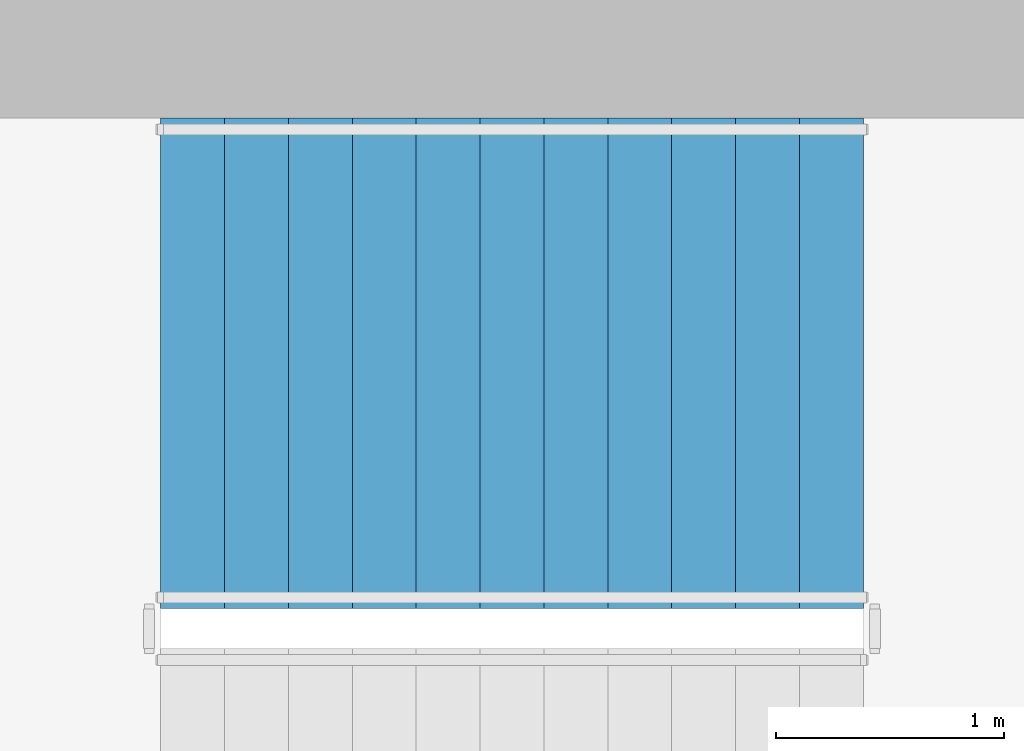
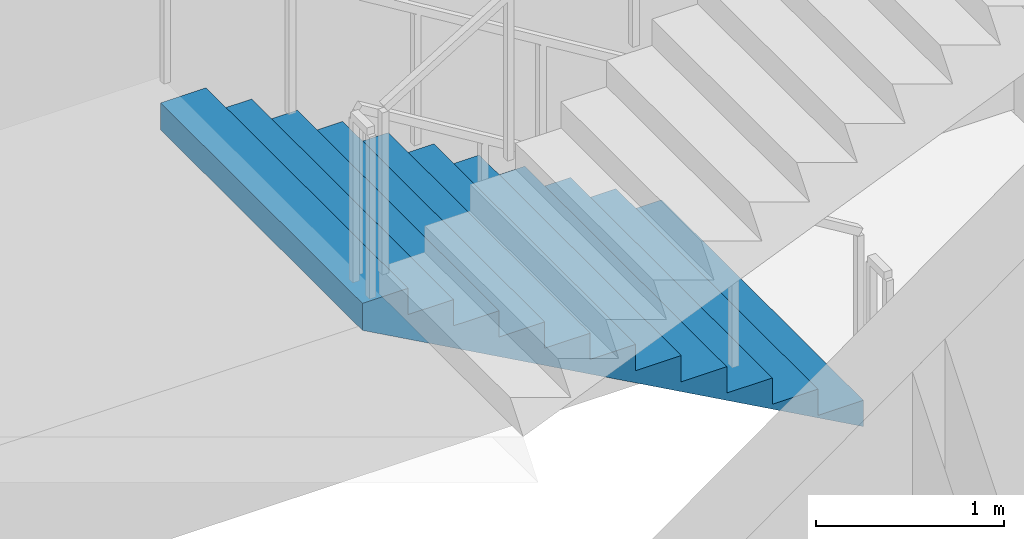
# One storey, part 9 of 15: 1 stair flight, 1 element without a shape of its own.
"""IFC4 building model written with IfcOpenShell, lengths in metres."""

from ifc_helpers import new_model, si_unit, direction, frame, origin, place, context, subcontext, project, spatial, triangles, material, type_object, element, aggregate, save


model = new_model("IFC4")

# Units and contexts
model_context = context("Model", 3, precision=1e-05, world=origin(), true_north=direction((0.0, 1.0)))
body_context = subcontext(model_context, "Body", "Model", "MODEL_VIEW")
ifc_project = project(units=[si_unit("LENGTHUNIT", "METRE"), si_unit("AREAUNIT", "SQUARE_METRE"), si_unit("VOLUMEUNIT", "CUBIC_METRE"), si_unit("PLANEANGLEUNIT", "RADIAN"), si_unit("MASSUNIT", "GRAM", prefix="KILO")], contexts=[model_context])

# Site, building, storey
site_placement = place(None, origin())
site = spatial("IfcSite", under=ifc_project, at=site_placement, CompositionType="ELEMENT")
building_placement = place(site_placement, origin())
building = spatial("IfcBuilding", under=site, at=building_placement, Name="Cypress Arch Tower", CompositionType="ELEMENT")
storey_placement = place(building_placement, frame((0.0, 0.0, 234.300048828125)))
storey = spatial("IfcBuildingStorey", under=building, at=storey_placement, Name="L52", CompositionType="ELEMENT", Elevation=234.300048828125)

# Stair, stair flight
ifc_material_1 = material(Name="Concrete C40/50", Category="concrete")
stair_type = type_object("IfcStairType", Name="Exit stair ES1708-215", PredefinedType="HALF_TURN_STAIR", material=ifc_material_1)
stair_placement = place(storey_placement, origin())
stair = element("IfcStair", 1, at=stair_placement, inside=storey, type_object=stair_type, Name="L52 Exit stair B", PredefinedType="HALF_TURN_STAIR")
ifc_material_2 = material(Name="Concrete C40/50", Category="concrete")
stair_flight_type = type_object("IfcStairFlightType", Name="Exit stair flight ES1708-215", PredefinedType="STRAIGHT", material=ifc_material_2)
stair_flight_placement = place(storey_placement, frame((-22.27490234375, 13.72509765625, 0.0), z_axis=(0.0, 0.0, 1.0), x_axis=(-1.0, 0.0, 0.0)))
stair_flight = element("IfcStairFlight", 2, at=stair_flight_placement, type_object=stair_flight_type, Name="B flight 1", NumberOfRisers=12, NumberOfTreads=11, PredefinedType="STRAIGHT", RiserHeight=0.170833333, TreadLength=0.28, context=body_context, shape_type="Tessellation", body=[
    triangles([(0.0, -1.074951171875, 0.0), (0.000244140625, -1.074951171875, 0.01904296875), (0.000244140625, -1.074951171875, 0.0380859375), (0.00048828125, -1.074951171875, 0.056884765625), (0.00048828125, -1.074951171875, 0.075927734375), (0.00048828125, -1.074951171875, 0.094970703125), (0.00048828125, -1.074951171875, 0.114013671875), (0.000244140625, -1.074951171875, 0.1328125), (0.000244140625, -1.074951171875, 0.15185546875), (0.0, -1.074951171875, 0.1708984375), (0.280029296875, -1.074951171875, 0.1708984375), (0.280029296875, -1.074951171875, 0.341552734375), (0.56005859375, -1.074951171875, 0.341552734375), (0.56005859375, -1.074951171875, 0.512451171875), (0.840087890625, -1.074951171875, 0.512451171875), (0.840087890625, -1.074951171875, 0.683349609375), (1.1201171875, -1.074951171875, 0.683349609375), (1.1201171875, -1.074951171875, 0.854248046875), (1.39990234375, -1.074951171875, 0.854248046875), (1.39990234375, -1.074951171875, 1.02490234375), (1.679931640625, -1.074951171875, 1.02490234375), (1.679931640625, -1.074951171875, 1.19580078125), (1.9599609375, -1.074951171875, 1.19580078125), (1.9599609375, -1.074951171875, 1.36669921875), (2.239990234375, -1.074951171875, 1.36669921875), (2.239990234375, -1.074951171875, 1.53759765625), (2.52001953125, -1.074951171875, 1.53759765625), (2.52001953125, -1.074951171875, 1.708251953125), (2.800048828125, -1.074951171875, 1.708251953125), (2.800048828125, -1.074951171875, 1.879150390625), (3.080078125, -1.074951171875, 1.879150390625), (3.079833984375, -1.074951171875, 1.859619140625), (3.079833984375, -1.074951171875, 1.840087890625), (3.07958984375, -1.074951171875, 1.820556640625), (3.07958984375, -1.074951171875, 1.801025390625), (3.07958984375, -1.074951171875, 1.78173828125), (3.07958984375, -1.074951171875, 1.76220703125), (3.079833984375, -1.074951171875, 1.74267578125), (3.079833984375, -1.074951171875, 1.72314453125), (3.080078125, -1.074951171875, 1.70361328125), (3.080078125, 1.074951171875, 1.70361328125), (3.079833984375, 1.074951171875, 1.72314453125), (3.079833984375, 1.074951171875, 1.74267578125), (3.07958984375, 1.074951171875, 1.76220703125), (3.07958984375, 1.074951171875, 1.78173828125), (3.07958984375, 1.074951171875, 1.801025390625), (3.07958984375, 1.074951171875, 1.820556640625), (3.079833984375, 1.074951171875, 1.840087890625), (3.079833984375, 1.074951171875, 1.859619140625), (3.080078125, 1.074951171875, 1.879150390625), (2.800048828125, 1.074951171875, 1.879150390625), (2.800048828125, 1.074951171875, 1.708251953125), (2.52001953125, 1.074951171875, 1.708251953125), (2.52001953125, 1.074951171875, 1.53759765625), (2.239990234375, 1.074951171875, 1.53759765625), (2.239990234375, 1.074951171875, 1.36669921875), (1.9599609375, 1.074951171875, 1.36669921875), (1.9599609375, 1.074951171875, 1.19580078125), (1.679931640625, 1.074951171875, 1.19580078125), (1.679931640625, 1.074951171875, 1.02490234375), (1.39990234375, 1.074951171875, 1.02490234375), (1.39990234375, 1.074951171875, 0.854248046875), (1.1201171875, 1.074951171875, 0.854248046875), (1.1201171875, 1.074951171875, 0.683349609375), (0.840087890625, 1.074951171875, 0.683349609375), (0.840087890625, 1.074951171875, 0.512451171875), (0.56005859375, 1.074951171875, 0.512451171875), (0.56005859375, 1.074951171875, 0.341552734375), (0.280029296875, 1.074951171875, 0.341552734375), (0.280029296875, 1.074951171875, 0.1708984375), (0.0, 1.074951171875, 0.1708984375), (0.000244140625, 1.074951171875, 0.15185546875), (0.000244140625, 1.074951171875, 0.1328125), (0.00048828125, 1.074951171875, 0.114013671875), (0.00048828125, 1.074951171875, 0.094970703125), (0.00048828125, 1.074951171875, 0.075927734375), (0.00048828125, 1.074951171875, 0.056884765625), (0.000244140625, 1.074951171875, 0.0380859375), (0.000244140625, 1.074951171875, 0.01904296875), (0.0, 1.074951171875, 0.0)], [[40, 39, 30], [39, 38, 30], [38, 37, 30], [37, 36, 30], [36, 35, 30], [35, 34, 30], [34, 33, 30], [33, 32, 30], [32, 31, 30], [19, 18, 17], [27, 26, 25], [25, 24, 23], [23, 22, 21], [17, 16, 15], [15, 14, 13], [10, 9, 11], [9, 8, 11], [8, 7, 11], [7, 6, 11], [6, 5, 11], [5, 4, 11], [4, 3, 11], [3, 2, 11], [2, 1, 11], [29, 28, 27], [21, 20, 19], [13, 12, 11], [40, 30, 29], [40, 29, 27], [40, 27, 25], [40, 25, 23], [40, 23, 21], [40, 21, 19], [40, 19, 17], [40, 17, 15], [40, 15, 13], [1, 40, 13], [13, 11, 1], [41, 51, 42], [42, 51, 43], [43, 51, 44], [44, 51, 45], [45, 51, 46], [46, 51, 47], [47, 51, 48], [48, 51, 49], [49, 51, 50], [62, 64, 63], [54, 56, 55], [56, 58, 57], [58, 60, 59], [64, 66, 65], [66, 68, 67], [71, 70, 72], [72, 70, 73], [73, 70, 74], [74, 70, 75], [75, 70, 76], [76, 70, 77], [77, 70, 78], [78, 70, 79], [79, 70, 80], [52, 54, 53], [60, 62, 61], [68, 70, 69], [41, 52, 51], [41, 54, 52], [41, 56, 54], [41, 58, 56], [41, 60, 58], [41, 62, 60], [41, 64, 62], [41, 66, 64], [41, 68, 66], [80, 68, 41], [68, 80, 70], [41, 42, 39], [41, 39, 40], [42, 43, 38], [42, 38, 39], [43, 44, 37], [43, 37, 38], [44, 45, 36], [44, 36, 37], [45, 46, 35], [45, 35, 36], [46, 47, 34], [46, 34, 35], [47, 48, 33], [47, 33, 34], [48, 49, 32], [48, 32, 33], [49, 50, 31], [49, 31, 32], [50, 51, 30], [50, 30, 31], [51, 52, 29], [51, 29, 30], [52, 53, 28], [52, 28, 29], [53, 54, 27], [53, 27, 28], [54, 55, 26], [54, 26, 27], [55, 56, 25], [55, 25, 26], [56, 57, 24], [56, 24, 25], [57, 58, 23], [57, 23, 24], [58, 59, 22], [58, 22, 23], [59, 60, 21], [59, 21, 22], [60, 61, 20], [60, 20, 21], [61, 62, 19], [61, 19, 20], [62, 63, 18], [62, 18, 19], [63, 64, 17], [63, 17, 18], [64, 65, 16], [64, 16, 17], [65, 66, 15], [65, 15, 16], [66, 67, 14], [66, 14, 15], [67, 68, 13], [67, 13, 14], [68, 69, 12], [68, 12, 13], [69, 70, 11], [69, 11, 12], [70, 71, 10], [70, 10, 11], [71, 72, 9], [71, 9, 10], [72, 73, 8], [72, 8, 9], [73, 74, 7], [73, 7, 8], [74, 75, 6], [74, 6, 7], [75, 76, 5], [75, 5, 6], [76, 77, 4], [76, 4, 5], [77, 78, 3], [77, 3, 4], [78, 79, 2], [78, 2, 3], [79, 80, 1], [79, 1, 2], [80, 41, 40], [80, 40, 1]], closed=True),
])
aggregate(stair, [stair_flight])

save(model, "model.ifc")
